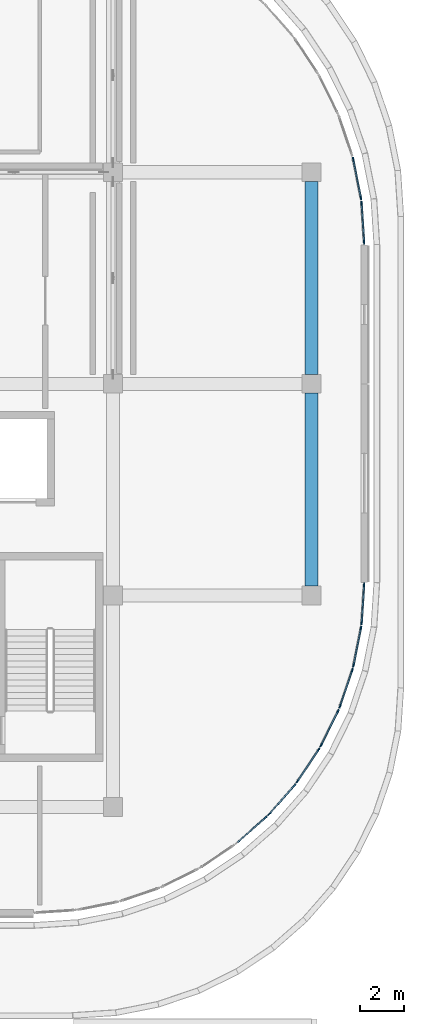
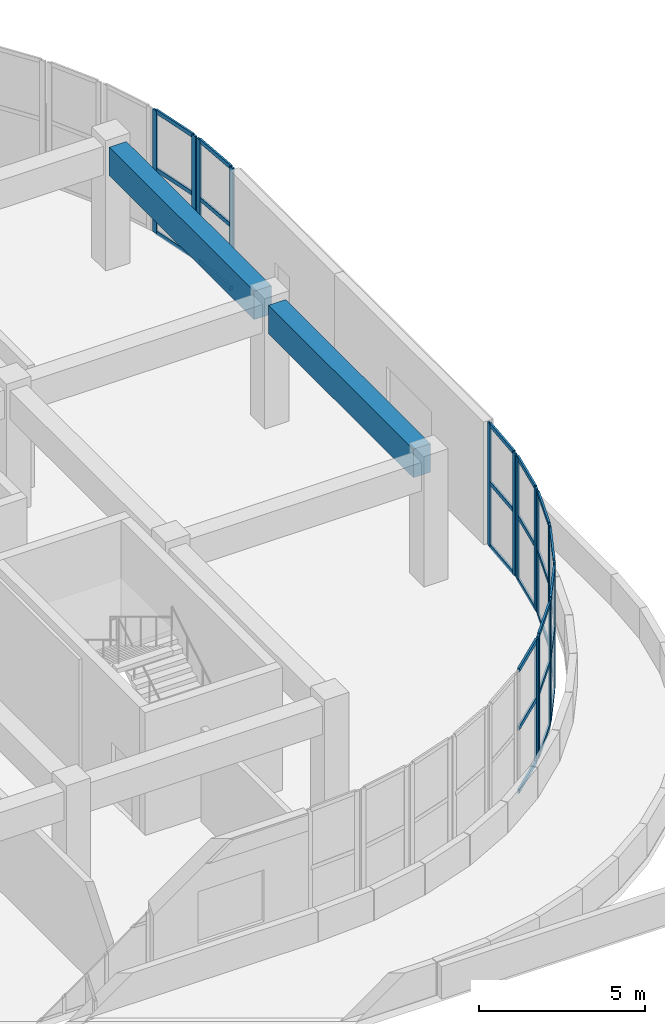
# One storey, part 23 of 67: 44 members, 2 beams, 9 elements without a shape of their own.
"""IFC4 building model written with IfcOpenShell, lengths in metres."""

from ifc_helpers import new_model, si_unit, direction, frame, origin, origin_2d, place, context, subcontext, project, spatial, rectangle, extrude, material, layer, layer_set, material_profile, profile_set, type_object, element, aggregate, save


model = new_model("IFC4")

# Units and contexts
model_context = context("Model", 3, precision=1e-05, world=origin(), true_north=direction((0.0, 1.0)))
body_context = subcontext(model_context, "Body", "Model", "MODEL_VIEW")
ifc_project = project(units=[si_unit("LENGTHUNIT", "METRE"), si_unit("AREAUNIT", "SQUARE_METRE"), si_unit("VOLUMEUNIT", "CUBIC_METRE"), si_unit("PLANEANGLEUNIT", "RADIAN"), si_unit("MASSUNIT", "GRAM", prefix="KILO")], contexts=[model_context])

# Site, building, storey
site_placement = place(None, origin())
site = spatial("IfcSite", under=ifc_project, at=site_placement, CompositionType="ELEMENT")
building_placement = place(site_placement, origin())
building = spatial("IfcBuilding", under=site, at=building_placement, Name="Cendralis Terraced Arcade", CompositionType="ELEMENT")
storey_placement = place(building_placement, frame((0.0, 0.0, 15.0)))
storey = spatial("IfcBuildingStorey", under=building, at=storey_placement, Name="L03", CompositionType="ELEMENT", Elevation=15.0)

# Beams
ifc_material_1 = material(Name="Concrete f'c 35 MPa", Category="concrete")
ifc_material_profile_1 = material_profile(ifc_material_1, rectangle(XDim=0.60009765625, YDim=1.050048828125, at=origin_2d()), Name="RC-BM-600x1050", Category="LoadBearing")
ifc_profile_set_1 = profile_set([ifc_material_profile_1], Name="Concrete f'c 35 MPa")
beam_type = type_object("IfcBeamType", Name="BM-600x1050", PredefinedType="JOIST", material=ifc_profile_set_1)
for number, where, z_axis, x_axis, name in (
    (1, (166.199951171875, 79.625, 3.9951171875), (0.0, 1.0, 0.0), (-1.0, 0.0, 0.0), "Reinforced Concrete Frame Beam BM-Y-L04-19-J_K"),
    (2, (166.199951171875, 89.22509765625, 3.9951171875), (0.0, 1.0, 0.0), (-1.0, 0.0, 0.0), "Reinforced Concrete Frame Beam BM-Y-L04-19-K_L"),
):
    element("IfcBeam", number, at=place(storey_placement, frame(where, z_axis=z_axis, x_axis=x_axis)), inside=storey, type_object=beam_type, Name=name, PredefinedType="JOIST", context=body_context, shape_type="SweptSolid", body=[
        extrude(rectangle(XDim=0.60009765625, YDim=1.050048828125, at=origin_2d()), origin(), (0.0, 0.0, 1.0), 8.75),
    ])

# Curtain wall, members
ifc_material_2 = material(Name="Anodised aluminium EN AW-6063 T6", Category="aluminium")
ifc_layer = layer(ifc_material_2, 0.179931640625, Name="CW-UNIT-A")
ifc_layer_set = layer_set([ifc_layer], Name="Anodised aluminium EN AW-6063 T6")
curtain_wall_type = type_object("IfcCurtainWallType", Name="CW-UNIT-A", PredefinedType="USERDEFINED", material=ifc_layer_set)
curtain_wall_1_placement = place(storey_placement, origin())
curtain_wall_1 = element("IfcCurtainWall", 3, at=curtain_wall_1_placement, inside=storey, type_object=curtain_wall_type, Name="Exterior Unitised Facade CW-L03-0237", ObjectType="UNITISED FACADE", PredefinedType="USERDEFINED")
ifc_material_profile_2 = material_profile(ifc_material_2, rectangle(XDim=0.06494140625, YDim=0.179931640625, at=origin_2d()), Name="ALU-MUL-65x180")
ifc_profile_set_2 = profile_set([ifc_material_profile_2], Name="Anodised aluminium EN AW-6063 T6")
member_type_1 = type_object("IfcMemberType", Name="CW-UNIT-A-MUL", PredefinedType="MULLION", material=ifc_profile_set_2)
member_1_placement = place(storey_placement, frame((168.095947265625, 98.991455078125, 0.0), z_axis=(0.0, 0.0, 1.0), x_axis=(0.980796601395, 0.195033398913, 0.0)))
member_1 = element("IfcMember", 4, at=member_1_placement, type_object=member_type_1, Name="CW-U1 mullion 1", PredefinedType="MULLION", context=body_context, shape_type="SweptSolid", body=[
    extrude(rectangle(XDim=0.06494140625, YDim=0.179931640625, at=origin_2d()), origin(), (0.0, 0.0, 1.0), 4.52001953125),
])
member_2_placement = place(storey_placement, frame((168.443359375, 97.243408203125, 0.0), z_axis=(0.0, 0.0, 1.0), x_axis=(0.980796601395, 0.195033398913, 0.0)))
member_2 = element("IfcMember", 5, at=member_2_placement, type_object=member_type_1, Name="CW-U1 mullion 2", PredefinedType="MULLION", context=body_context, shape_type="SweptSolid", body=[
    extrude(rectangle(XDim=0.06494140625, YDim=0.179931640625, at=origin_2d()), origin(), (0.0, 0.0, 1.0), 4.52001953125),
])

curtain_wall_2_placement = place(storey_placement, origin())
curtain_wall_2 = element("IfcCurtainWall", 6, at=curtain_wall_2_placement, inside=storey, type_object=curtain_wall_type, Name="Exterior Unitised Facade CW-L03-0238", ObjectType="UNITISED FACADE", PredefinedType="USERDEFINED")
member_3_placement = place(storey_placement, frame((168.475341796875, 97.0009765625, 0.0), z_axis=(0.0, 0.0, 1.0), x_axis=(0.997860192175, 0.065383766124, 0.0)))
member_3 = element("IfcMember", 7, at=member_3_placement, type_object=member_type_1, Name="CW-U1 mullion 1", PredefinedType="MULLION", context=body_context, shape_type="SweptSolid", body=[
    extrude(rectangle(XDim=0.06494140625, YDim=0.179931640625, at=origin_2d()), origin(), (0.0, 0.0, 1.0), 4.52001953125),
])
member_4_placement = place(storey_placement, frame((168.592041015625, 95.22216796875, 0.0), z_axis=(0.0, 0.0, 1.0), x_axis=(0.997860192175, 0.065383766124, 0.0)))
member_4 = element("IfcMember", 8, at=member_4_placement, type_object=member_type_1, Name="CW-U1 mullion 2", PredefinedType="MULLION", context=body_context, shape_type="SweptSolid", body=[
    extrude(rectangle(XDim=0.06494140625, YDim=0.179931640625, at=origin_2d()), origin(), (0.0, 0.0, 1.0), 4.52001953125),
])

curtain_wall_3_placement = place(storey_placement, origin())
curtain_wall_3 = element("IfcCurtainWall", 9, at=curtain_wall_3_placement, inside=storey, type_object=curtain_wall_type, Name="Exterior Unitised Facade CW-L03-0239", ObjectType="UNITISED FACADE", PredefinedType="USERDEFINED")
member_5_placement = place(storey_placement, frame((168.592041015625, 79.677734375, 0.0), z_axis=(0.0, 0.0, 1.0), x_axis=(0.997860971336, -0.065371873798, 0.0)))
member_5 = element("IfcMember", 10, at=member_5_placement, type_object=member_type_1, Name="CW-U1 mullion 1", PredefinedType="MULLION", context=body_context, shape_type="SweptSolid", body=[
    extrude(rectangle(XDim=0.06494140625, YDim=0.179931640625, at=origin_2d()), origin(), (0.0, 0.0, 1.0), 4.52001953125),
])
member_6_placement = place(storey_placement, frame((168.479736328125, 77.96435546875, 0.0), z_axis=(0.0, 0.0, 1.0), x_axis=(0.997860971336, -0.065371873798, 0.0)))
member_6 = element("IfcMember", 11, at=member_6_placement, type_object=member_type_1, Name="CW-U1 mullion 2", PredefinedType="MULLION", context=body_context, shape_type="SweptSolid", body=[
    extrude(rectangle(XDim=0.06494140625, YDim=0.179931640625, at=origin_2d()), origin(), (0.0, 0.0, 1.0), 4.52001953125),
])

curtain_wall_4_placement = place(storey_placement, origin())
curtain_wall_4 = element("IfcCurtainWall", 12, at=curtain_wall_4_placement, inside=storey, type_object=curtain_wall_type, Name="Exterior Unitised Facade CW-L03-0240", ObjectType="UNITISED FACADE", PredefinedType="USERDEFINED")
member_7_placement = place(storey_placement, frame((168.44775390625, 77.721923828125, 0.0), z_axis=(0.0, 0.0, 1.0), x_axis=(0.980791618721, -0.195058454434, 0.0)))
member_7 = element("IfcMember", 13, at=member_7_placement, type_object=member_type_1, Name="CW-U1 mullion 1", PredefinedType="MULLION", context=body_context, shape_type="SweptSolid", body=[
    extrude(rectangle(XDim=0.06494140625, YDim=0.179931640625, at=origin_2d()), origin(), (0.0, 0.0, 1.0), 4.52001953125),
])
member_8_placement = place(storey_placement, frame((168.11279296875, 76.037841796875, 0.0), z_axis=(0.0, 0.0, 1.0), x_axis=(0.980791618721, -0.195058454434, 0.0)))
member_8 = element("IfcMember", 14, at=member_8_placement, type_object=member_type_1, Name="CW-U1 mullion 2", PredefinedType="MULLION", context=body_context, shape_type="SweptSolid", body=[
    extrude(rectangle(XDim=0.06494140625, YDim=0.179931640625, at=origin_2d()), origin(), (0.0, 0.0, 1.0), 4.52001953125),
])

curtain_wall_5_placement = place(storey_placement, origin())
curtain_wall_5 = element("IfcCurtainWall", 15, at=curtain_wall_5_placement, inside=storey, type_object=curtain_wall_type, Name="Exterior Unitised Facade CW-L03-0241", ObjectType="UNITISED FACADE", PredefinedType="USERDEFINED")
member_9_placement = place(storey_placement, frame((168.049560546875, 75.8017578125, 0.0), z_axis=(0.0, 0.0, 1.0), x_axis=(0.946923811316, -0.321458077458, 0.0)))
member_9 = element("IfcMember", 16, at=member_9_placement, type_object=member_type_1, Name="CW-U1 mullion 1", PredefinedType="MULLION", context=body_context, shape_type="SweptSolid", body=[
    extrude(rectangle(XDim=0.06494140625, YDim=0.179931640625, at=origin_2d()), origin(), (0.0, 0.0, 1.0), 4.52001953125),
])
member_10_placement = place(storey_placement, frame((167.49755859375, 74.17578125, 0.0), z_axis=(0.0, 0.0, 1.0), x_axis=(0.946923811316, -0.321458077458, 0.0)))
member_10 = element("IfcMember", 17, at=member_10_placement, type_object=member_type_1, Name="CW-U1 mullion 2", PredefinedType="MULLION", context=body_context, shape_type="SweptSolid", body=[
    extrude(rectangle(XDim=0.06494140625, YDim=0.179931640625, at=origin_2d()), origin(), (0.0, 0.0, 1.0), 4.52001953125),
])

curtain_wall_6_placement = place(storey_placement, origin())
curtain_wall_6 = element("IfcCurtainWall", 18, at=curtain_wall_6_placement, inside=storey, type_object=curtain_wall_type, Name="Exterior Unitised Facade CW-L03-0242", ObjectType="UNITISED FACADE", PredefinedType="USERDEFINED")
member_11_placement = place(storey_placement, frame((167.404052734375, 73.949951171875, 0.0), z_axis=(0.0, 0.0, 1.0), x_axis=(0.896871480419, -0.442291247495, 0.0)))
member_11 = element("IfcMember", 19, at=member_11_placement, type_object=member_type_1, Name="CW-U1 mullion 1", PredefinedType="MULLION", context=body_context, shape_type="SweptSolid", body=[
    extrude(rectangle(XDim=0.06494140625, YDim=0.179931640625, at=origin_2d()), origin(), (0.0, 0.0, 1.0), 4.52001953125),
])
member_12_placement = place(storey_placement, frame((166.64453125, 72.409912109375, 0.0), z_axis=(0.0, 0.0, 1.0), x_axis=(0.896871480419, -0.442291247495, 0.0)))
member_12 = element("IfcMember", 20, at=member_12_placement, type_object=member_type_1, Name="CW-U1 mullion 2", PredefinedType="MULLION", context=body_context, shape_type="SweptSolid", body=[
    extrude(rectangle(XDim=0.06494140625, YDim=0.179931640625, at=origin_2d()), origin(), (0.0, 0.0, 1.0), 4.52001953125),
])

curtain_wall_7_placement = place(storey_placement, origin())
curtain_wall_7 = element("IfcCurtainWall", 21, at=curtain_wall_7_placement, inside=storey, type_object=curtain_wall_type, Name="Exterior Unitised Facade CW-L03-0243", ObjectType="UNITISED FACADE", PredefinedType="USERDEFINED")
member_13_placement = place(storey_placement, frame((166.5224609375, 72.1982421875, 0.0), z_axis=(0.0, 0.0, 1.0), x_axis=(0.831471454125, -0.555567476528, 0.0)))
member_13 = element("IfcMember", 22, at=member_13_placement, type_object=member_type_1, Name="CW-U1 mullion 1", PredefinedType="MULLION", context=body_context, shape_type="SweptSolid", body=[
    extrude(rectangle(XDim=0.06494140625, YDim=0.179931640625, at=origin_2d()), origin(), (0.0, 0.0, 1.0), 4.52001953125),
])
member_14_placement = place(storey_placement, frame((165.568359375, 70.7705078125, 0.0), z_axis=(0.0, 0.0, 1.0), x_axis=(0.831471454125, -0.555567476528, 0.0)))
member_14 = element("IfcMember", 23, at=member_14_placement, type_object=member_type_1, Name="CW-U1 mullion 2", PredefinedType="MULLION", context=body_context, shape_type="SweptSolid", body=[
    extrude(rectangle(XDim=0.06494140625, YDim=0.179931640625, at=origin_2d()), origin(), (0.0, 0.0, 1.0), 4.52001953125),
])

curtain_wall_8_placement = place(storey_placement, origin())
curtain_wall_8 = element("IfcCurtainWall", 24, at=curtain_wall_8_placement, inside=storey, type_object=curtain_wall_type, Name="Exterior Unitised Facade CW-L03-0244", ObjectType="UNITISED FACADE", PredefinedType="USERDEFINED")
member_15_placement = place(storey_placement, frame((165.419677734375, 70.576416015625, 0.0), z_axis=(0.0, 0.0, 1.0), x_axis=(0.751804497477, -0.659386076266, 0.0)))
member_15 = element("IfcMember", 25, at=member_15_placement, type_object=member_type_1, Name="CW-U1 mullion 1", PredefinedType="MULLION", context=body_context, shape_type="SweptSolid", body=[
    extrude(rectangle(XDim=0.06494140625, YDim=0.179931640625, at=origin_2d()), origin(), (0.0, 0.0, 1.0), 4.52001953125),
])
member_16_placement = place(storey_placement, frame((164.287353515625, 69.28564453125, 0.0), z_axis=(0.0, 0.0, 1.0), x_axis=(0.751804497477, -0.659386076266, 0.0)))
member_16 = element("IfcMember", 26, at=member_16_placement, type_object=member_type_1, Name="CW-U1 mullion 2", PredefinedType="MULLION", context=body_context, shape_type="SweptSolid", body=[
    extrude(rectangle(XDim=0.06494140625, YDim=0.179931640625, at=origin_2d()), origin(), (0.0, 0.0, 1.0), 4.52001953125),
])

# Curtain wall, member
curtain_wall_9_placement = place(storey_placement, origin())
curtain_wall_9 = element("IfcCurtainWall", 27, at=curtain_wall_9_placement, inside=storey, type_object=curtain_wall_type, Name="Exterior Unitised Facade CW-L03-0245", ObjectType="UNITISED FACADE", PredefinedType="USERDEFINED")
member_17_placement = place(storey_placement, frame((164.114501953125, 69.112548828125, 0.0), z_axis=(0.0, 0.0, 1.0), x_axis=(0.659386076266, -0.751804497477, 0.0)))
member_17 = element("IfcMember", 28, at=member_17_placement, type_object=member_type_1, Name="CW-U1 mullion 1", PredefinedType="MULLION", context=body_context, shape_type="SweptSolid", body=[
    extrude(rectangle(XDim=0.06494140625, YDim=0.179931640625, at=origin_2d()), origin(), (0.0, 0.0, 1.0), 4.52001953125),
])

# Member
ifc_material_profile_3 = material_profile(ifc_material_2, rectangle(XDim=0.06494140625, YDim=0.14990234375, at=origin_2d()), Name="ALU-TRN-65x150")
ifc_profile_set_3 = profile_set([ifc_material_profile_3], Name="Anodised aluminium EN AW-6063 T6")
member_type_2 = type_object("IfcMemberType", Name="CW-UNIT-A-TRN", PredefinedType="USERDEFINED", material=ifc_profile_set_3)
member_18_placement = place(storey_placement, frame((168.102294921875, 98.959716796875, 0.032470703125), z_axis=(0.194885847962, -0.980825930665, 0.0), x_axis=(0.980825930665, 0.194885847962, 0.0)))
member_18 = element("IfcMember", 29, at=member_18_placement, type_object=member_type_2, Name="CW-U1 transom 1.1", ObjectType="TRANSOM", PredefinedType="USERDEFINED", context=body_context, shape_type="SweptSolid", body=[
    extrude(rectangle(XDim=0.06494140625, YDim=0.14990234375, at=origin_2d()), origin(), (0.0, 0.0, 1.0), 1.717529296875),
])

member_19_placement = place(storey_placement, frame((168.102294921875, 98.959716796875, 2.350341796875), z_axis=(0.194885847962, -0.980825930665, 0.0), x_axis=(0.980825930665, 0.194885847962, 0.0)))
member_19 = element("IfcMember", 30, at=member_19_placement, type_object=member_type_2, Name="CW-U1 transom 1.2", ObjectType="TRANSOM", PredefinedType="USERDEFINED", context=body_context, shape_type="SweptSolid", body=[
    extrude(rectangle(XDim=0.06494140625, YDim=0.14990234375, at=origin_2d()), origin(), (0.0, 0.0, 1.0), 1.717529296875),
])

member_20_placement = place(storey_placement, frame((168.102294921875, 98.959716796875, 4.487548828125), z_axis=(0.194885847962, -0.980825930665, 0.0), x_axis=(0.980825930665, 0.194885847962, 0.0)))
member_20 = element("IfcMember", 31, at=member_20_placement, type_object=member_type_2, Name="CW-U1 transom 1.3", ObjectType="TRANSOM", PredefinedType="USERDEFINED", context=body_context, shape_type="SweptSolid", body=[
    extrude(rectangle(XDim=0.06494140625, YDim=0.14990234375, at=origin_2d()), origin(), (0.0, 0.0, 1.0), 1.717529296875),
])

aggregate(curtain_wall_1, [member_1, member_2, member_18, member_19, member_20])

member_21_placement = place(storey_placement, frame((168.4775390625, 96.968505859375, 0.032470703125), z_axis=(0.065386837014, -0.997859990953, 0.0), x_axis=(0.997859990953, 0.065386837014, 0.0)))
member_21 = element("IfcMember", 32, at=member_21_placement, type_object=member_type_2, Name="CW-U1 transom 1.1", ObjectType="TRANSOM", PredefinedType="USERDEFINED", context=body_context, shape_type="SweptSolid", body=[
    extrude(rectangle(XDim=0.06494140625, YDim=0.14990234375, at=origin_2d()), origin(), (0.0, 0.0, 1.0), 1.717529296875),
])

member_22_placement = place(storey_placement, frame((168.4775390625, 96.968505859375, 2.350341796875), z_axis=(0.065386837014, -0.997859990953, 0.0), x_axis=(0.997859990953, 0.065386837014, 0.0)))
member_22 = element("IfcMember", 33, at=member_22_placement, type_object=member_type_2, Name="CW-U1 transom 1.2", ObjectType="TRANSOM", PredefinedType="USERDEFINED", context=body_context, shape_type="SweptSolid", body=[
    extrude(rectangle(XDim=0.06494140625, YDim=0.14990234375, at=origin_2d()), origin(), (0.0, 0.0, 1.0), 1.717529296875),
])

member_23_placement = place(storey_placement, frame((168.4775390625, 96.968505859375, 4.487548828125), z_axis=(0.065386837014, -0.997859990953, 0.0), x_axis=(0.997859990953, 0.065386837014, 0.0)))
member_23 = element("IfcMember", 34, at=member_23_placement, type_object=member_type_2, Name="CW-U1 transom 1.3", ObjectType="TRANSOM", PredefinedType="USERDEFINED", context=body_context, shape_type="SweptSolid", body=[
    extrude(rectangle(XDim=0.06494140625, YDim=0.14990234375, at=origin_2d()), origin(), (0.0, 0.0, 1.0), 1.717529296875),
])

aggregate(curtain_wall_2, [member_3, member_4, member_21, member_22, member_23])

member_24_placement = place(storey_placement, frame((168.58984375, 79.645263671875, 0.032470703125), z_axis=(-0.065322272667, -0.997864219568, 0.0), x_axis=(0.997864219568, -0.065322272667, 0.0)))
member_24 = element("IfcMember", 35, at=member_24_placement, type_object=member_type_2, Name="CW-U1 transom 1.1", ObjectType="TRANSOM", PredefinedType="USERDEFINED", context=body_context, shape_type="SweptSolid", body=[
    extrude(rectangle(XDim=0.06494140625, YDim=0.14990234375, at=origin_2d()), origin(), (0.0, 0.0, 1.0), 1.65185546875),
])

member_25_placement = place(storey_placement, frame((168.58984375, 79.645263671875, 2.350341796875), z_axis=(-0.065322272667, -0.997864219568, 0.0), x_axis=(0.997864219568, -0.065322272667, 0.0)))
member_25 = element("IfcMember", 36, at=member_25_placement, type_object=member_type_2, Name="CW-U1 transom 1.2", ObjectType="TRANSOM", PredefinedType="USERDEFINED", context=body_context, shape_type="SweptSolid", body=[
    extrude(rectangle(XDim=0.06494140625, YDim=0.14990234375, at=origin_2d()), origin(), (0.0, 0.0, 1.0), 1.65185546875),
])

member_26_placement = place(storey_placement, frame((168.58984375, 79.645263671875, 4.487548828125), z_axis=(-0.065322272667, -0.997864219568, 0.0), x_axis=(0.997864219568, -0.065322272667, 0.0)))
member_26 = element("IfcMember", 37, at=member_26_placement, type_object=member_type_2, Name="CW-U1 transom 1.3", ObjectType="TRANSOM", PredefinedType="USERDEFINED", context=body_context, shape_type="SweptSolid", body=[
    extrude(rectangle(XDim=0.06494140625, YDim=0.14990234375, at=origin_2d()), origin(), (0.0, 0.0, 1.0), 1.65185546875),
])

aggregate(curtain_wall_3, [member_5, member_6, member_24, member_25, member_26])

member_27_placement = place(storey_placement, frame((168.44140625, 77.68994140625, 0.032470703125), z_axis=(-0.195092814307, -0.980784784652, 0.0), x_axis=(0.980784784652, -0.195092814307, 0.0)))
member_27 = element("IfcMember", 38, at=member_27_placement, type_object=member_type_2, Name="CW-U1 transom 1.1", ObjectType="TRANSOM", PredefinedType="USERDEFINED", context=body_context, shape_type="SweptSolid", body=[
    extrude(rectangle(XDim=0.06494140625, YDim=0.14990234375, at=origin_2d()), origin(), (0.0, 0.0, 1.0), 1.65185546875),
])

member_28_placement = place(storey_placement, frame((168.44140625, 77.68994140625, 2.350341796875), z_axis=(-0.195092814307, -0.980784784652, 0.0), x_axis=(0.980784784652, -0.195092814307, 0.0)))
member_28 = element("IfcMember", 39, at=member_28_placement, type_object=member_type_2, Name="CW-U1 transom 1.2", ObjectType="TRANSOM", PredefinedType="USERDEFINED", context=body_context, shape_type="SweptSolid", body=[
    extrude(rectangle(XDim=0.06494140625, YDim=0.14990234375, at=origin_2d()), origin(), (0.0, 0.0, 1.0), 1.65185546875),
])

member_29_placement = place(storey_placement, frame((168.44140625, 77.68994140625, 4.487548828125), z_axis=(-0.195092814307, -0.980784784652, 0.0), x_axis=(0.980784784652, -0.195092814307, 0.0)))
member_29 = element("IfcMember", 40, at=member_29_placement, type_object=member_type_2, Name="CW-U1 transom 1.3", ObjectType="TRANSOM", PredefinedType="USERDEFINED", context=body_context, shape_type="SweptSolid", body=[
    extrude(rectangle(XDim=0.06494140625, YDim=0.14990234375, at=origin_2d()), origin(), (0.0, 0.0, 1.0), 1.65185546875),
])

aggregate(curtain_wall_4, [member_7, member_8, member_27, member_28, member_29])

member_30_placement = place(storey_placement, frame((168.0390625, 75.77099609375, 0.032470703125), z_axis=(-0.321409930755, -0.94694015461, 0.0), x_axis=(0.94694015461, -0.321409930755, 0.0)))
member_30 = element("IfcMember", 41, at=member_30_placement, type_object=member_type_2, Name="CW-U1 transom 1.1", ObjectType="TRANSOM", PredefinedType="USERDEFINED", context=body_context, shape_type="SweptSolid", body=[
    extrude(rectangle(XDim=0.06494140625, YDim=0.14990234375, at=origin_2d()), origin(), (0.0, 0.0, 1.0), 1.652099609375),
])

member_31_placement = place(storey_placement, frame((168.0390625, 75.77099609375, 2.350341796875), z_axis=(-0.321409930755, -0.94694015461, 0.0), x_axis=(0.94694015461, -0.321409930755, 0.0)))
member_31 = element("IfcMember", 42, at=member_31_placement, type_object=member_type_2, Name="CW-U1 transom 1.2", ObjectType="TRANSOM", PredefinedType="USERDEFINED", context=body_context, shape_type="SweptSolid", body=[
    extrude(rectangle(XDim=0.06494140625, YDim=0.14990234375, at=origin_2d()), origin(), (0.0, 0.0, 1.0), 1.652099609375),
])

member_32_placement = place(storey_placement, frame((168.0390625, 75.77099609375, 4.487548828125), z_axis=(-0.321409930755, -0.94694015461, 0.0), x_axis=(0.94694015461, -0.321409930755, 0.0)))
member_32 = element("IfcMember", 43, at=member_32_placement, type_object=member_type_2, Name="CW-U1 transom 1.3", ObjectType="TRANSOM", PredefinedType="USERDEFINED", context=body_context, shape_type="SweptSolid", body=[
    extrude(rectangle(XDim=0.06494140625, YDim=0.14990234375, at=origin_2d()), origin(), (0.0, 0.0, 1.0), 1.652099609375),
])

aggregate(curtain_wall_5, [member_9, member_10, member_30, member_31, member_32])

member_33_placement = place(storey_placement, frame((167.3896484375, 73.920654296875, 0.032470703125), z_axis=(-0.442300625853, -0.896866855431, 0.0), x_axis=(0.896866855431, -0.442300625853, 0.0)))
member_33 = element("IfcMember", 44, at=member_33_placement, type_object=member_type_2, Name="CW-U1 transom 1.1", ObjectType="TRANSOM", PredefinedType="USERDEFINED", context=body_context, shape_type="SweptSolid", body=[
    extrude(rectangle(XDim=0.06494140625, YDim=0.14990234375, at=origin_2d()), origin(), (0.0, 0.0, 1.0), 1.652099609375),
])

member_34_placement = place(storey_placement, frame((167.3896484375, 73.920654296875, 2.350341796875), z_axis=(-0.442300625853, -0.896866855431, 0.0), x_axis=(0.896866855431, -0.442300625853, 0.0)))
member_34 = element("IfcMember", 45, at=member_34_placement, type_object=member_type_2, Name="CW-U1 transom 1.2", ObjectType="TRANSOM", PredefinedType="USERDEFINED", context=body_context, shape_type="SweptSolid", body=[
    extrude(rectangle(XDim=0.06494140625, YDim=0.14990234375, at=origin_2d()), origin(), (0.0, 0.0, 1.0), 1.652099609375),
])

member_35_placement = place(storey_placement, frame((167.3896484375, 73.920654296875, 4.487548828125), z_axis=(-0.442300625853, -0.896866855431, 0.0), x_axis=(0.896866855431, -0.442300625853, 0.0)))
member_35 = element("IfcMember", 46, at=member_35_placement, type_object=member_type_2, Name="CW-U1 transom 1.3", ObjectType="TRANSOM", PredefinedType="USERDEFINED", context=body_context, shape_type="SweptSolid", body=[
    extrude(rectangle(XDim=0.06494140625, YDim=0.14990234375, at=origin_2d()), origin(), (0.0, 0.0, 1.0), 1.652099609375),
])

aggregate(curtain_wall_6, [member_11, member_12, member_33, member_34, member_35])

member_36_placement = place(storey_placement, frame((166.50439453125, 72.171142578125, 0.032470703125), z_axis=(-0.555586455466, -0.831458772582, 0.0), x_axis=(0.831458772582, -0.555586455466, 0.0)))
member_36 = element("IfcMember", 47, at=member_36_placement, type_object=member_type_2, Name="CW-U1 transom 1.1", ObjectType="TRANSOM", PredefinedType="USERDEFINED", context=body_context, shape_type="SweptSolid", body=[
    extrude(rectangle(XDim=0.06494140625, YDim=0.14990234375, at=origin_2d()), origin(), (0.0, 0.0, 1.0), 1.65234375),
])

member_37_placement = place(storey_placement, frame((166.50439453125, 72.171142578125, 2.350341796875), z_axis=(-0.555586455466, -0.831458772582, 0.0), x_axis=(0.831458772582, -0.555586455466, 0.0)))
member_37 = element("IfcMember", 48, at=member_37_placement, type_object=member_type_2, Name="CW-U1 transom 1.2", ObjectType="TRANSOM", PredefinedType="USERDEFINED", context=body_context, shape_type="SweptSolid", body=[
    extrude(rectangle(XDim=0.06494140625, YDim=0.14990234375, at=origin_2d()), origin(), (0.0, 0.0, 1.0), 1.65234375),
])

member_38_placement = place(storey_placement, frame((166.50439453125, 72.171142578125, 4.487548828125), z_axis=(-0.555586455466, -0.831458772582, 0.0), x_axis=(0.831458772582, -0.555586455466, 0.0)))
member_38 = element("IfcMember", 49, at=member_38_placement, type_object=member_type_2, Name="CW-U1 transom 1.3", ObjectType="TRANSOM", PredefinedType="USERDEFINED", context=body_context, shape_type="SweptSolid", body=[
    extrude(rectangle(XDim=0.06494140625, YDim=0.14990234375, at=origin_2d()), origin(), (0.0, 0.0, 1.0), 1.65234375),
])

aggregate(curtain_wall_7, [member_13, member_14, member_36, member_37, member_38])

member_39_placement = place(storey_placement, frame((165.398193359375, 70.552001953125, 0.032470703125), z_axis=(-0.659414374006, -0.751779677402, 0.0), x_axis=(0.751779677402, -0.659414374006, 0.0)))
member_39 = element("IfcMember", 50, at=member_39_placement, type_object=member_type_2, Name="CW-U1 transom 1.1", ObjectType="TRANSOM", PredefinedType="USERDEFINED", context=body_context, shape_type="SweptSolid", body=[
    extrude(rectangle(XDim=0.06494140625, YDim=0.14990234375, at=origin_2d()), origin(), (0.0, 0.0, 1.0), 1.652099609375),
])

member_40_placement = place(storey_placement, frame((165.398193359375, 70.552001953125, 2.350341796875), z_axis=(-0.659414374006, -0.751779677402, 0.0), x_axis=(0.751779677402, -0.659414374006, 0.0)))
member_40 = element("IfcMember", 51, at=member_40_placement, type_object=member_type_2, Name="CW-U1 transom 1.2", ObjectType="TRANSOM", PredefinedType="USERDEFINED", context=body_context, shape_type="SweptSolid", body=[
    extrude(rectangle(XDim=0.06494140625, YDim=0.14990234375, at=origin_2d()), origin(), (0.0, 0.0, 1.0), 1.652099609375),
])

member_41_placement = place(storey_placement, frame((165.398193359375, 70.552001953125, 4.487548828125), z_axis=(-0.659414374006, -0.751779677402, 0.0), x_axis=(0.751779677402, -0.659414374006, 0.0)))
member_41 = element("IfcMember", 52, at=member_41_placement, type_object=member_type_2, Name="CW-U1 transom 1.3", ObjectType="TRANSOM", PredefinedType="USERDEFINED", context=body_context, shape_type="SweptSolid", body=[
    extrude(rectangle(XDim=0.06494140625, YDim=0.14990234375, at=origin_2d()), origin(), (0.0, 0.0, 1.0), 1.652099609375),
])

aggregate(curtain_wall_8, [member_15, member_16, member_39, member_40, member_41])

member_42_placement = place(storey_placement, frame((164.090087890625, 69.09130859375, 0.032470703125), z_axis=(-0.751843927425, -0.659341117172, 0.0), x_axis=(0.659341117172, -0.751843927425, 0.0)))
member_42 = element("IfcMember", 53, at=member_42_placement, type_object=member_type_2, Name="CW-U1 transom 1.1", ObjectType="TRANSOM", PredefinedType="USERDEFINED", context=body_context, shape_type="SweptSolid", body=[
    extrude(rectangle(XDim=0.06494140625, YDim=0.14990234375, at=origin_2d()), origin(), (0.0, 0.0, 1.0), 1.652099609375),
])

member_43_placement = place(storey_placement, frame((164.090087890625, 69.09130859375, 2.350341796875), z_axis=(-0.751843927425, -0.659341117172, 0.0), x_axis=(0.659341117172, -0.751843927425, 0.0)))
member_43 = element("IfcMember", 54, at=member_43_placement, type_object=member_type_2, Name="CW-U1 transom 1.2", ObjectType="TRANSOM", PredefinedType="USERDEFINED", context=body_context, shape_type="SweptSolid", body=[
    extrude(rectangle(XDim=0.06494140625, YDim=0.14990234375, at=origin_2d()), origin(), (0.0, 0.0, 1.0), 1.652099609375),
])

member_44_placement = place(storey_placement, frame((164.090087890625, 69.09130859375, 4.487548828125), z_axis=(-0.751843927425, -0.659341117172, 0.0), x_axis=(0.659341117172, -0.751843927425, 0.0)))
member_44 = element("IfcMember", 55, at=member_44_placement, type_object=member_type_2, Name="CW-U1 transom 1.3", ObjectType="TRANSOM", PredefinedType="USERDEFINED", context=body_context, shape_type="SweptSolid", body=[
    extrude(rectangle(XDim=0.06494140625, YDim=0.14990234375, at=origin_2d()), origin(), (0.0, 0.0, 1.0), 1.652099609375),
])

aggregate(curtain_wall_9, [member_17, member_42, member_43, member_44])

save(model, "model.ifc")
